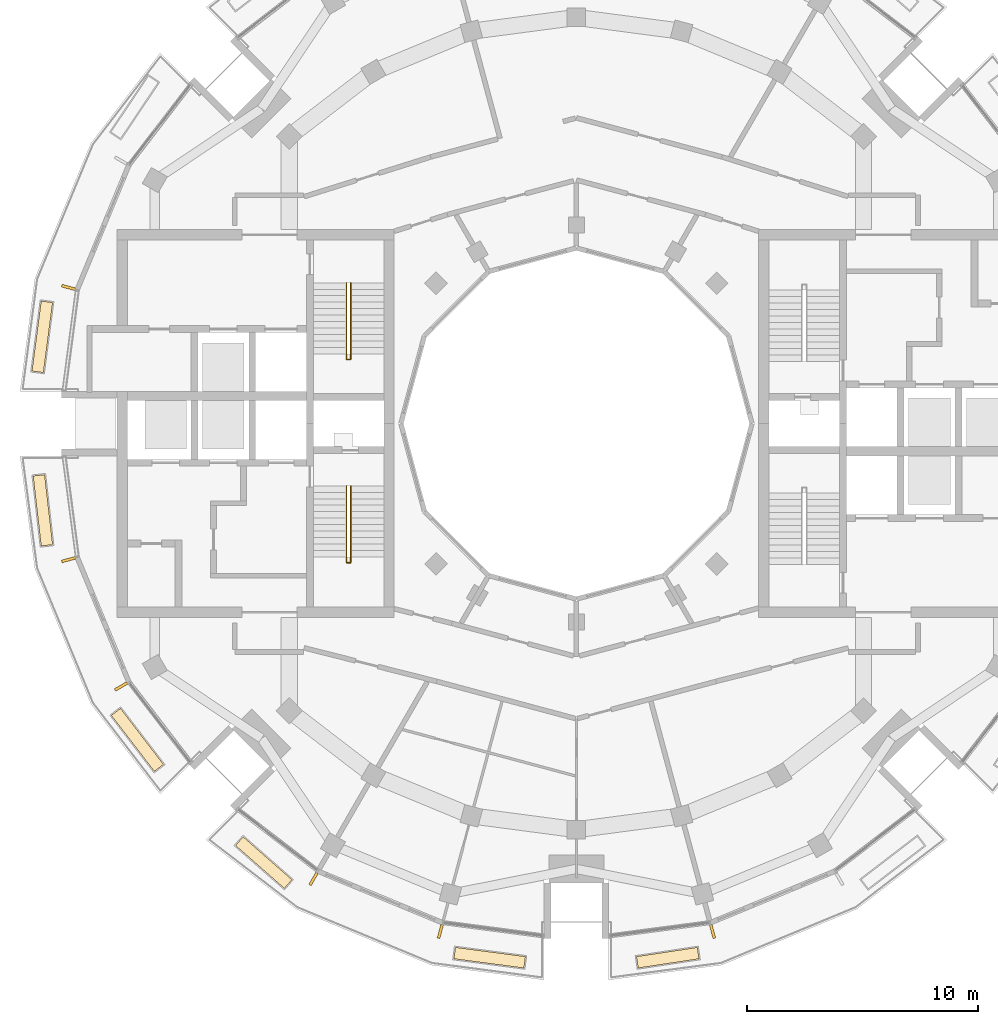
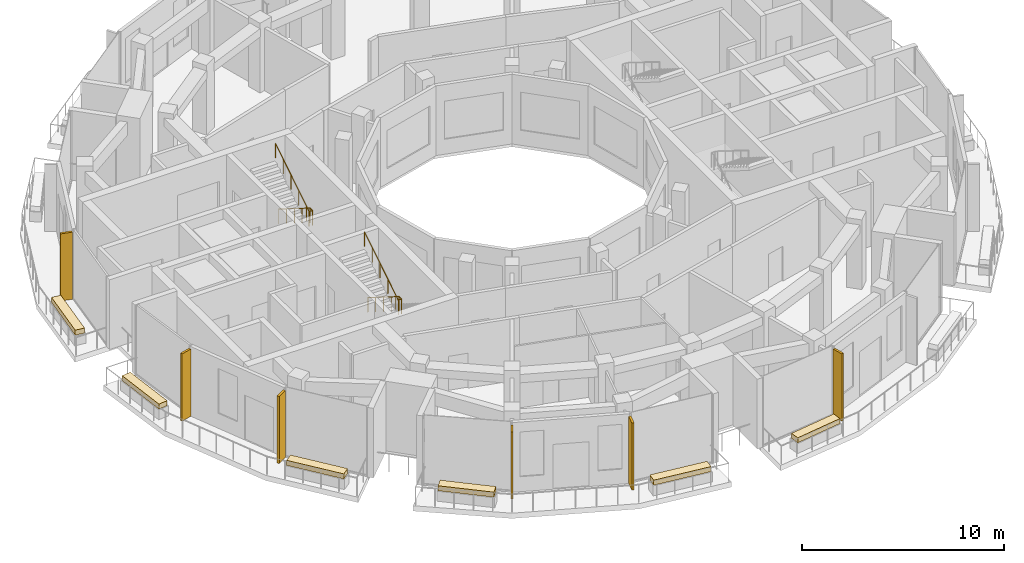
# One storey, part 14 of 16: 6 coverings, 6 shading devices, 2 railings.
"""IFC4 building model written with IfcOpenShell, lengths in metres."""

from ifc_helpers import new_model, si_unit, direction, frame, origin, origin_2d, place, context, subcontext, project, spatial, polyline, rectangle, circle, outline, extrude, material, layer, layer_set, material_profile, profile_set, type_object, element, save


model = new_model("IFC4")

# Units and contexts
model_context = context("Model", 3, precision=1e-05, world=origin(), true_north=direction((0.0, 1.0)))
body_context = subcontext(model_context, "Body", "Model", "MODEL_VIEW")
ifc_project = project(units=[si_unit("LENGTHUNIT", "METRE"), si_unit("AREAUNIT", "SQUARE_METRE"), si_unit("VOLUMEUNIT", "CUBIC_METRE"), si_unit("PLANEANGLEUNIT", "RADIAN"), si_unit("MASSUNIT", "GRAM", prefix="KILO")], contexts=[model_context])

# Site, building, storey
site_placement = place(None, origin())
site = spatial("IfcSite", under=ifc_project, at=site_placement, CompositionType="ELEMENT")
building_placement = place(site_placement, origin())
building = spatial("IfcBuilding", under=site, at=building_placement, Name="Torre Brocal", CompositionType="ELEMENT")
storey_placement = place(building_placement, frame((0.0, 0.0, 292.5)))
storey = spatial("IfcBuildingStorey", under=building, at=storey_placement, Name="L67", CompositionType="ELEMENT", Elevation=292.5)

# Shading devices
ifc_material_1 = material(Name="Aluminium, black anodised", Category="aluminium")
ifc_material_profile = material_profile(ifc_material_1, rectangle(XDim=0.1201171875, YDim=0.60009765625, at=origin_2d()), Name="FIN 120X600 4050 HIGH FROM FLOOR")
ifc_profile_set = profile_set([ifc_material_profile], Name="Aluminium, black anodised")
shading_device_type = type_object("IfcShadingDeviceType", Name="FIN 120X600 4050 HIGH FROM FLOOR", PredefinedType="USERDEFINED", material=ifc_profile_set)
for number, where, z_axis, x_axis, name in (
    (1, (57.984619140625, 80.89892578125, 0.0), (0.0, 0.0, 1.0), (-0.258819045103, -0.965925826289, 0.0), "FIN"),
    (2, (57.984619140625, 69.10107421875, 0.0), (0.0, 0.0, 1.0), (0.258819045103, -0.965925826289, 0.0), "FIN"),
    (3, (60.261474609375, 63.60400390625, 0.0), (0.0, 0.0, 1.0), (0.5, -0.866025403784, 0.0), "FIN"),
    (4, (68.60400390625, 55.261474609375, 0.0), (0.0, 0.0, 1.0), (0.866025403784, -0.5, 0.0), "FIN"),
    (5, (74.10107421875, 52.984619140625, 0.0), (0.0, 0.0, 1.0), (0.965925826289, -0.258819045103, 0.0), "FIN"),
    (6, (85.89892578125, 52.984619140625, 0.0), (0.0, 0.0, 1.0), (0.965925826289, 0.258819045103, 0.0), "FIN"),
):
    element("IfcShadingDevice", number, at=place(storey_placement, frame(where, z_axis=z_axis, x_axis=x_axis)), inside=storey, type_object=shading_device_type, Name=name, ObjectType="FIN", PredefinedType="USERDEFINED", context=body_context, shape_type="SweptSolid", body=[
        extrude(rectangle(XDim=0.1201171875, YDim=0.60009765625, at=origin_2d()), origin(), (0.0, 0.0, 1.0), 4.050048828125),
    ])

# Coverings
ifc_material_2 = material(Name="Planting soil")
ifc_layer = layer(ifc_material_2, 0.300048828125)
ifc_layer_set = layer_set([ifc_layer], Name="Planting soil")
covering_type = type_object("IfcCoveringType", Name="PLANTING SOIL 300", PredefinedType="FLOORING", material=ifc_layer_set)
covering_1_placement = place(storey_placement, frame((0.0, 0.0, 0.60009765625)))
element("IfcCovering", 7, at=covering_1_placement, inside=storey, type_object=covering_type, Name="PLANTING SOIL", PredefinedType="FLOORING", context=body_context, shape_type="SweptSolid", body=[
    extrude(outline(polyline([(57.2998046875, 80.243896484375), (56.900390625, 77.210205078125), (56.40478515625, 77.275390625), (56.80419921875, 80.30908203125), (57.2998046875, 80.243896484375)])), origin(), (0.0, 0.0, 1.0), 0.2998046875),
])
covering_2_placement = place(storey_placement, frame((0.0, 0.0, 0.60009765625)))
element("IfcCovering", 8, at=covering_2_placement, inside=storey, type_object=covering_type, Name="PLANTING SOIL", PredefinedType="FLOORING", context=body_context, shape_type="SweptSolid", body=[
    extrude(outline(polyline([(56.952392578125, 72.78564453125), (57.30126953125, 69.752197265625), (56.804443359375, 69.695068359375), (56.45556640625, 72.728515625), (56.952392578125, 72.78564453125)])), origin(), (0.0, 0.0, 1.0), 0.2998046875),
])
covering_3_placement = place(storey_placement, frame((0.0, 0.0, 0.60009765625)))
element("IfcCovering", 9, at=covering_3_placement, inside=storey, type_object=covering_type, Name="PLANTING SOIL", PredefinedType="FLOORING", context=body_context, shape_type="SweptSolid", body=[
    extrude(outline(polyline([(60.24072265625, 62.656494140625), (62.103271484375, 60.22900390625), (61.706787109375, 59.924560546875), (59.843994140625, 62.35205078125), (60.24072265625, 62.656494140625)])), origin(), (0.0, 0.0, 1.0), 0.2998046875),
])
covering_4_placement = place(storey_placement, frame((0.0, 0.0, 0.60009765625)))
element("IfcCovering", 10, at=covering_4_placement, inside=storey, type_object=covering_type, Name="PLANTING SOIL", PredefinedType="FLOORING", context=body_context, shape_type="SweptSolid", body=[
    extrude(outline(polyline([(65.556884765625, 57.09033203125), (67.67138671875, 55.232666015625), (67.34130859375, 54.85693359375), (65.22705078125, 56.714599609375), (65.556884765625, 57.09033203125)])), origin(), (0.0, 0.0, 1.0), 0.2998046875),
])
covering_5_placement = place(storey_placement, frame((0.0, 0.0, 0.60009765625)))
element("IfcCovering", 11, at=covering_5_placement, inside=storey, type_object=covering_type, Name="PLANTING SOIL", PredefinedType="FLOORING", context=body_context, shape_type="SweptSolid", body=[
    extrude(outline(polyline([(74.756103515625, 52.2998046875), (77.789794921875, 51.900390625), (77.724609375, 51.40478515625), (74.69091796875, 51.80419921875), (74.756103515625, 52.2998046875)])), origin(), (0.0, 0.0, 1.0), 0.2998046875),
])
covering_6_placement = place(storey_placement, frame((0.0, 0.0, 0.60009765625)))
element("IfcCovering", 12, at=covering_6_placement, inside=storey, type_object=covering_type, Name="PLANTING SOIL", PredefinedType="FLOORING", context=body_context, shape_type="SweptSolid", body=[
    extrude(outline(polyline([(82.601806640625, 51.900634765625), (85.2392578125, 52.29833984375), (85.313720703125, 51.803955078125), (82.676513671875, 51.40625), (82.601806640625, 51.900634765625)])), origin(), (0.0, 0.0, 1.0), 0.2998046875),
])

# Railings
ifc_material_3 = material(Name="Stainless steel AISI 316", Category="steel")
railing_type = type_object("IfcRailingType", Name="STAIR HANDRAIL", PredefinedType="HANDRAIL", material=ifc_material_3)
railing_1_placement = place(storey_placement, frame((70.219970703125, 72.300048828125, 0.175048828125)))
element("IfcRailing", 13, at=railing_1_placement, inside=storey, type_object=railing_type, Name="HANDRAIL ST3", PredefinedType="HANDRAIL", context=body_context, shape_type="SweptSolid", body=[
    extrude(circle(Radius=0.02392578125, at=origin_2d()), frame((0.0, 0.0, 0.8759765625), z_axis=(0.0, -0.847998304005, 0.529998940003), x_axis=(1.0, 0.0, 0.0)), (0.0, 0.0, 1.0), 3.632080078125),
    extrude(circle(Radius=0.02392578125, at=origin_2d()), frame((0.0, -3.080078125, 2.80078125), z_axis=(0.0, -1.0, 0.0), x_axis=(1.0, 0.0, 0.0)), (0.0, 0.0, 1.0), 0.25),
    extrude(circle(Radius=0.02392578125, at=origin_2d()), frame((0.0, -3.330078125, 2.80078125), z_axis=(-1.0, 0.0, 0.0), x_axis=(0.0, -1.0, 0.0)), (0.0, 0.0, 1.0), 0.18994140625),
    extrude(circle(Radius=0.02392578125, at=origin_2d()), frame((-0.18994140625, -3.330078125, 2.80078125), z_axis=(0.0, 0.81953260104, 0.573032560883), x_axis=(-1.0, 0.0, 0.0)), (0.0, 0.0, 1.0), 0.304931640625),
    extrude(circle(Radius=0.02392578125, at=origin_2d()), frame((-0.18994140625, -3.080078125, 2.9755859375), z_axis=(0.0, 0.847998304005, 0.529998940003), x_axis=(-1.0, 0.0, 0.0)), (0.0, 0.0, 1.0), 3.632080078125),
    extrude(circle(Radius=0.02099609375, at=origin_2d()), origin(), (0.0, 0.0, 1.0), 0.851806640625),
    extrude(circle(Radius=0.02099609375, at=origin_2d()), frame((0.0, -0.77001953125, 0.481201171875)), (0.0, 0.0, 1.0), 0.851806640625),
    extrude(circle(Radius=0.02099609375, at=origin_2d()), frame((0.0, -1.5400390625, 0.96240234375)), (0.0, 0.0, 1.0), 0.851806640625),
    extrude(circle(Radius=0.02099609375, at=origin_2d()), frame((0.0, -2.31005859375, 1.44384765625)), (0.0, 0.0, 1.0), 0.851806640625),
    extrude(circle(Radius=0.02099609375, at=origin_2d()), frame((0.0, -3.080078125, 1.925048828125)), (0.0, 0.0, 1.0), 0.851806640625),
    extrude(circle(Radius=0.02099609375, at=origin_2d()), frame((0.0, -3.330078125, 1.925048828125)), (0.0, 0.0, 1.0), 0.851806640625),
    extrude(circle(Radius=0.02099609375, at=origin_2d()), frame((-0.18994140625, -3.330078125, 1.925048828125)), (0.0, 0.0, 1.0), 0.851806640625),
    extrude(circle(Radius=0.02099609375, at=origin_2d()), frame((-0.18994140625, -3.080078125, 2.099853515625)), (0.0, 0.0, 1.0), 0.851806640625),
    extrude(circle(Radius=0.02099609375, at=origin_2d()), frame((-0.18994140625, -2.31005859375, 2.5810546875)), (0.0, 0.0, 1.0), 0.851806640625),
    extrude(circle(Radius=0.02099609375, at=origin_2d()), frame((-0.18994140625, -1.5400390625, 3.0625)), (0.0, 0.0, 1.0), 0.851806640625),
    extrude(circle(Radius=0.02099609375, at=origin_2d()), frame((-0.18994140625, -0.77001953125, 3.543701171875)), (0.0, 0.0, 1.0), 0.851806640625),
    extrude(circle(Radius=0.02099609375, at=origin_2d()), frame((-0.18994140625, 0.0, 4.02490234375)), (0.0, 0.0, 1.0), 0.851806640625),
])
railing_2_placement = place(storey_placement, frame((70.219970703125, 81.10009765625, 0.175048828125)))
element("IfcRailing", 14, at=railing_2_placement, inside=storey, type_object=railing_type, Name="HANDRAIL ST4", PredefinedType="HANDRAIL", context=body_context, shape_type="SweptSolid", body=[
    extrude(circle(Radius=0.02392578125, at=origin_2d()), frame((0.0, 0.0, 0.8759765625), z_axis=(0.0, -0.847998304005, 0.529998940003), x_axis=(1.0, 0.0, 0.0)), (0.0, 0.0, 1.0), 3.632080078125),
    extrude(circle(Radius=0.02392578125, at=origin_2d()), frame((0.0, -3.080078125, 2.80078125), z_axis=(0.0, -1.0, 0.0), x_axis=(1.0, 0.0, 0.0)), (0.0, 0.0, 1.0), 0.25),
    extrude(circle(Radius=0.02392578125, at=origin_2d()), frame((0.0, -3.330078125, 2.80078125), z_axis=(-1.0, 0.0, 0.0), x_axis=(0.0, -1.0, 0.0)), (0.0, 0.0, 1.0), 0.18994140625),
    extrude(circle(Radius=0.02392578125, at=origin_2d()), frame((-0.18994140625, -3.330078125, 2.80078125), z_axis=(0.0, 0.81953260104, 0.573032560883), x_axis=(-1.0, 0.0, 0.0)), (0.0, 0.0, 1.0), 0.304931640625),
    extrude(circle(Radius=0.02392578125, at=origin_2d()), frame((-0.18994140625, -3.080078125, 2.9755859375), z_axis=(0.0, 0.847998304005, 0.529998940003), x_axis=(-1.0, 0.0, 0.0)), (0.0, 0.0, 1.0), 3.632080078125),
    extrude(circle(Radius=0.02099609375, at=origin_2d()), origin(), (0.0, 0.0, 1.0), 0.851806640625),
    extrude(circle(Radius=0.02099609375, at=origin_2d()), frame((0.0, -0.77001953125, 0.481201171875)), (0.0, 0.0, 1.0), 0.851806640625),
    extrude(circle(Radius=0.02099609375, at=origin_2d()), frame((0.0, -1.5400390625, 0.96240234375)), (0.0, 0.0, 1.0), 0.851806640625),
    extrude(circle(Radius=0.02099609375, at=origin_2d()), frame((0.0, -2.31005859375, 1.44384765625)), (0.0, 0.0, 1.0), 0.851806640625),
    extrude(circle(Radius=0.02099609375, at=origin_2d()), frame((0.0, -3.080078125, 1.925048828125)), (0.0, 0.0, 1.0), 0.851806640625),
    extrude(circle(Radius=0.02099609375, at=origin_2d()), frame((0.0, -3.330078125, 1.925048828125)), (0.0, 0.0, 1.0), 0.851806640625),
    extrude(circle(Radius=0.02099609375, at=origin_2d()), frame((-0.18994140625, -3.330078125, 1.925048828125)), (0.0, 0.0, 1.0), 0.851806640625),
    extrude(circle(Radius=0.02099609375, at=origin_2d()), frame((-0.18994140625, -3.080078125, 2.099853515625)), (0.0, 0.0, 1.0), 0.851806640625),
    extrude(circle(Radius=0.02099609375, at=origin_2d()), frame((-0.18994140625, -2.31005859375, 2.5810546875)), (0.0, 0.0, 1.0), 0.851806640625),
    extrude(circle(Radius=0.02099609375, at=origin_2d()), frame((-0.18994140625, -1.5400390625, 3.0625)), (0.0, 0.0, 1.0), 0.851806640625),
    extrude(circle(Radius=0.02099609375, at=origin_2d()), frame((-0.18994140625, -0.77001953125, 3.543701171875)), (0.0, 0.0, 1.0), 0.851806640625),
    extrude(circle(Radius=0.02099609375, at=origin_2d()), frame((-0.18994140625, 0.0, 4.02490234375)), (0.0, 0.0, 1.0), 0.851806640625),
])

save(model, "model.ifc")
